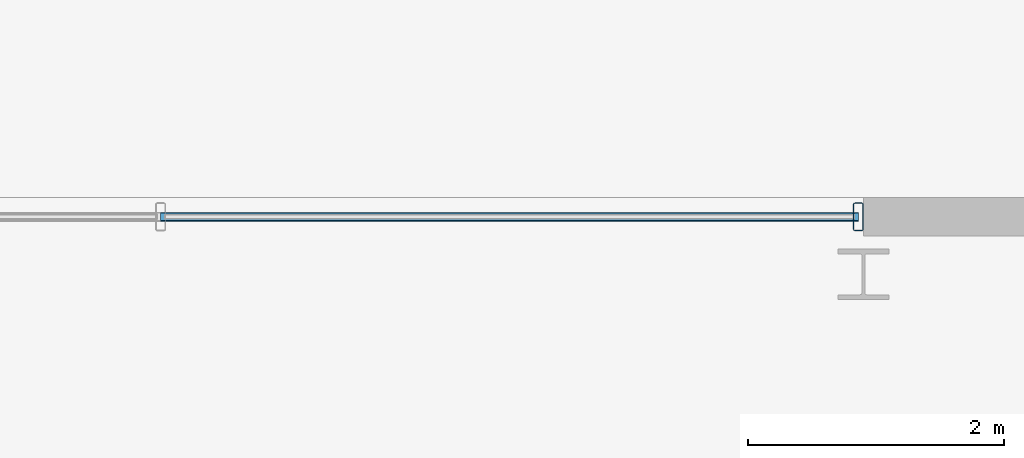
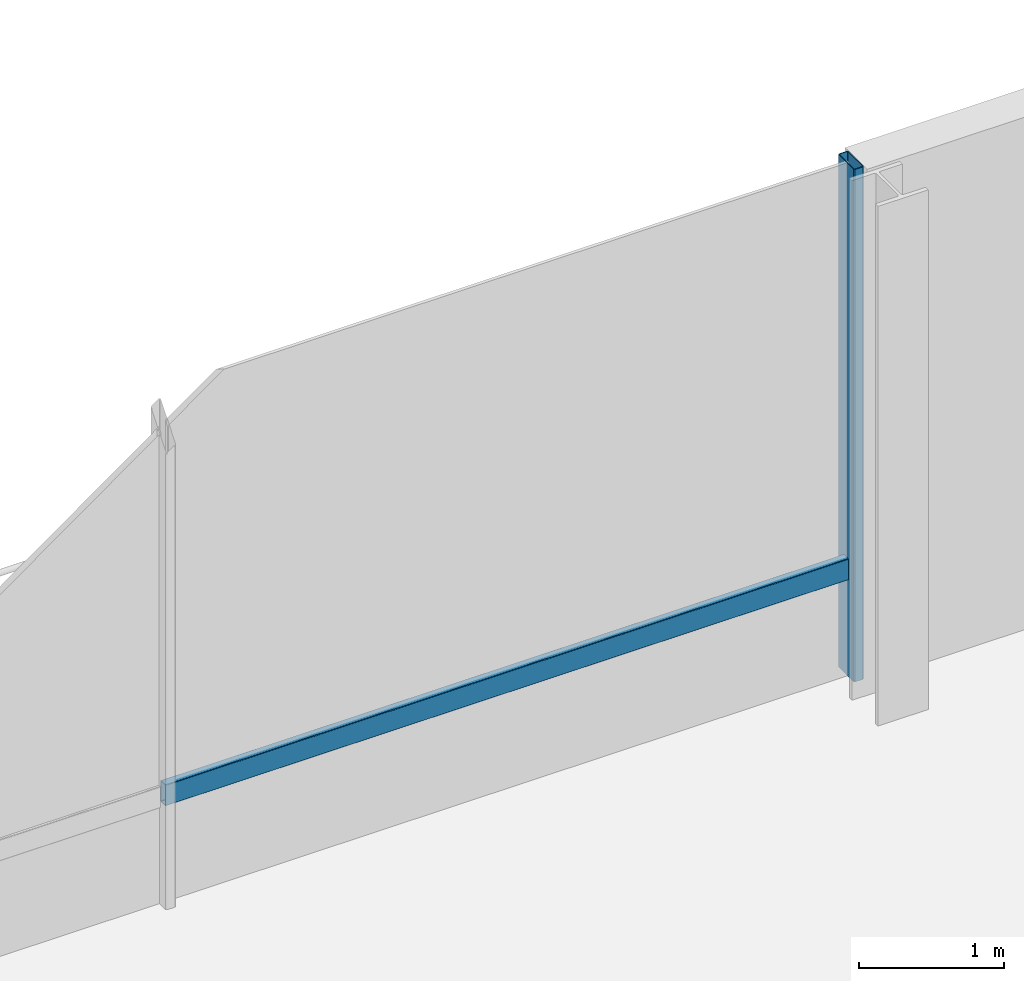
# One storey, part 16 of 45: 2 members, 1 element without a shape of its own.
"""IFC4 building model written with IfcOpenShell, lengths in metres."""

from ifc_helpers import new_model, si_unit, direction, frame, origin, origin_2d, place, context, subcontext, project, spatial, hollow_rectangle, extrude, material, layer, layer_set, material_profile, profile_set, type_object, element, aggregate, save


model = new_model("IFC4")

# Units and contexts
model_context = context("Model", 3, precision=1e-05, world=origin(), true_north=direction((0.0, 1.0)))
body_context = subcontext(model_context, "Body", "Model", "MODEL_VIEW")
ifc_project = project(units=[si_unit("LENGTHUNIT", "METRE"), si_unit("AREAUNIT", "SQUARE_METRE"), si_unit("VOLUMEUNIT", "CUBIC_METRE"), si_unit("PLANEANGLEUNIT", "RADIAN"), si_unit("MASSUNIT", "GRAM", prefix="KILO")], contexts=[model_context])

# Site, building, storey
site_placement = place(None, origin())
site = spatial("IfcSite", under=ifc_project, at=site_placement, CompositionType="ELEMENT")
building_placement = place(site_placement, origin())
building = spatial("IfcBuilding", under=site, at=building_placement, Name="Korimba Cascade Residences", CompositionType="ELEMENT")
storey_placement = place(building_placement, frame((0.0, 0.0, 5.39990234375)))
storey = spatial("IfcBuildingStorey", under=building, at=storey_placement, Name="L01", CompositionType="ELEMENT", Elevation=5.39990234375)

# Curtain wall, members
ifc_material_1 = material(Name="Anodised Aluminium Curtain Wall Framing", Category="aluminium")
ifc_layer = layer(ifc_material_1, 0.179931640625)
ifc_layer_set = layer_set([ifc_layer], Name="Anodised Aluminium Curtain Wall Framing")
curtain_wall_type = type_object("IfcCurtainWallType", Name="CW-POD-SYS1", PredefinedType="NOTDEFINED", material=ifc_layer_set)
curtain_wall_placement = place(storey_placement, origin())
curtain_wall = element("IfcCurtainWall", 1, at=curtain_wall_placement, inside=storey, type_object=curtain_wall_type, Name="L01 Curtain Wall CW-L01-POD-N", PredefinedType="NOTDEFINED")
ifc_material_2 = material(Name="Anodised Aluminium Mullion", Category="aluminium")
ifc_material_profile_1 = material_profile(ifc_material_2, hollow_rectangle(XDim=0.080078125, YDim=0.219970703125, WallThickness=0.00634765625, InnerFilletRadius=0.00634765625, OuterFilletRadius=0.0126953125, at=origin_2d()), Name="Anodised Aluminium Mullion")
ifc_profile_set_1 = profile_set([ifc_material_profile_1], Name="Anodised Aluminium Mullion")
member_type_1 = type_object("IfcMemberType", Name="CWM-MUL-220", PredefinedType="MULLION", material=ifc_profile_set_1)
member_1_placement = place(storey_placement, frame((107.9599609375, 106.550048828125, 0.0), z_axis=(0.0, 0.0, 1.0), x_axis=(-1.0, 0.0, 0.0)))
member_1 = element("IfcMember", 2, at=member_1_placement, type_object=member_type_1, Name="CW-L01-POD-N Mullion 1", PredefinedType="MULLION", context=body_context, shape_type="SweptSolid", body=[
    extrude(hollow_rectangle(XDim=0.080078125, YDim=0.219970703125, WallThickness=0.00634765625, InnerFilletRadius=0.00634765625, OuterFilletRadius=0.0126953125, at=origin_2d()), origin(), (0.0, 0.0, 1.0), 4.300048828125),
])
ifc_material_3 = material(Name="Anodised Aluminium Transom", Category="aluminium")
ifc_material_profile_2 = material_profile(ifc_material_3, hollow_rectangle(XDim=0.070068359375, YDim=0.179931640625, WallThickness=0.0048828125, InnerFilletRadius=0.0048828125, OuterFilletRadius=0.010009765625, at=origin_2d()), Name="Anodised Aluminium Transom")
ifc_profile_set_2 = profile_set([ifc_material_profile_2], Name="Anodised Aluminium Transom")
member_type_2 = type_object("IfcMemberType", Name="CWM-TRN-150", PredefinedType="USERDEFINED", material=ifc_profile_set_2)
member_2_placement = place(storey_placement, frame((107.9599609375, 106.550048828125, 0.900146484375), z_axis=(-1.0, 0.0, 0.0), x_axis=(0.0, -1.0, 0.0)))
member_2 = element("IfcMember", 3, at=member_2_placement, type_object=member_type_2, Name="CW-L01-POD-N Transom 1", ObjectType="TRANSOM", PredefinedType="USERDEFINED", context=body_context, shape_type="SweptSolid", body=[
    extrude(hollow_rectangle(XDim=0.070068359375, YDim=0.179931640625, WallThickness=0.0048828125, InnerFilletRadius=0.0048828125, OuterFilletRadius=0.010009765625, at=origin_2d()), origin(), (0.0, 0.0, 1.0), 5.4599609375),
])
aggregate(curtain_wall, [member_1, member_2])

save(model, "model.ifc")
